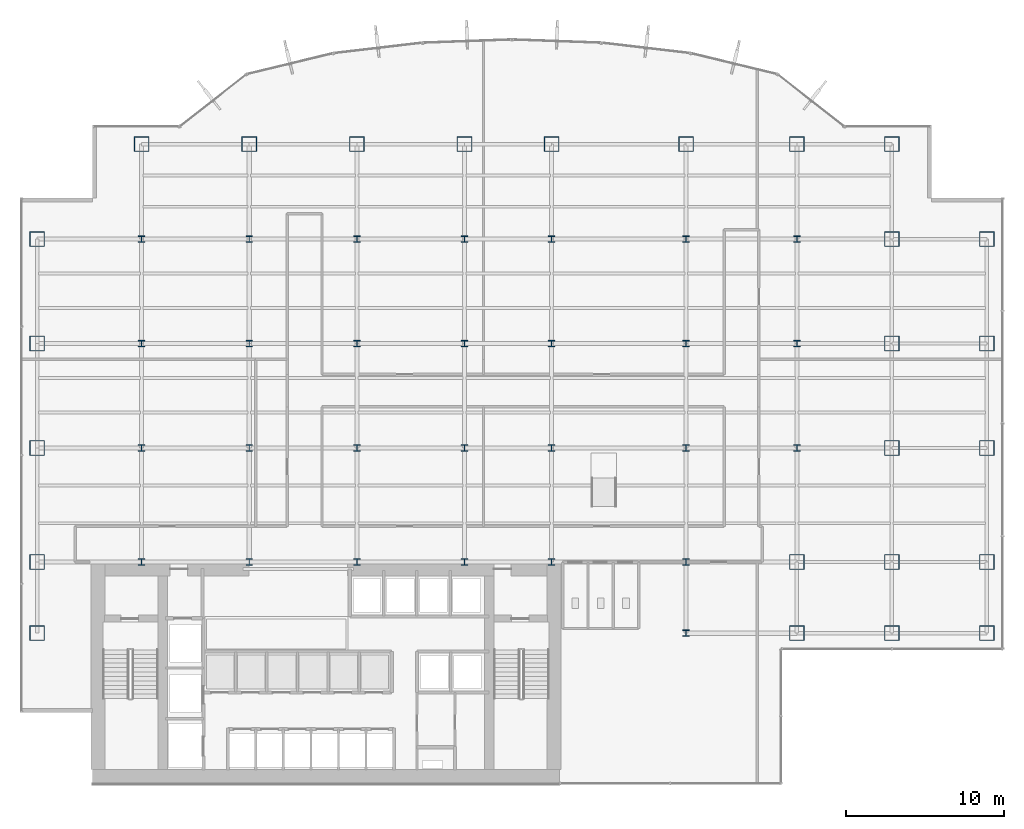
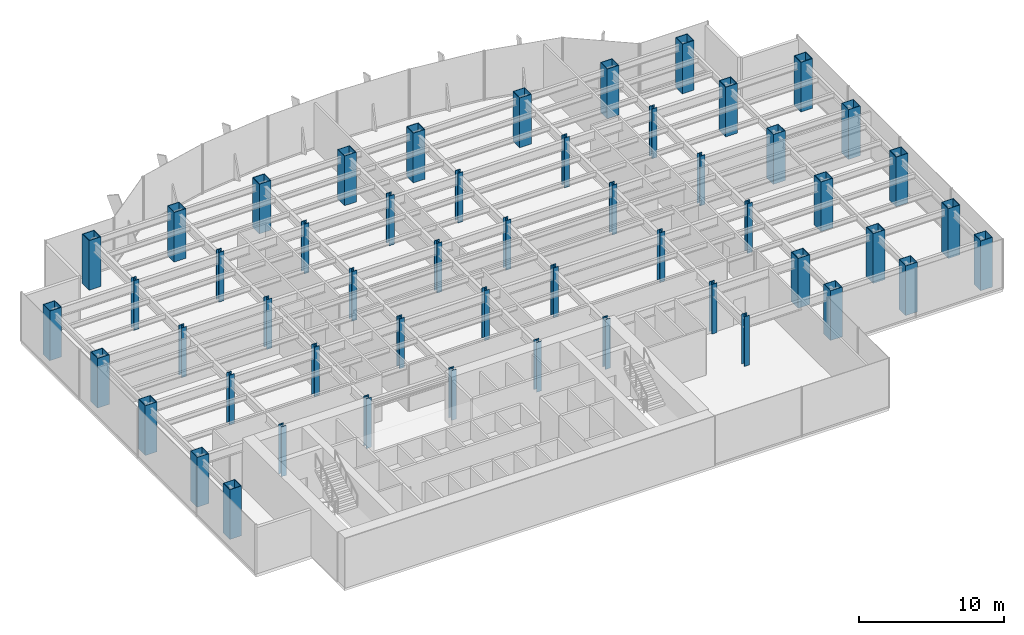
# One storey, part 1 of 35: 53 columns.
"""IFC4 building model written with IfcOpenShell, lengths in metres."""

from ifc_helpers import new_model, si_unit, derived_unit, direction, frame, origin, origin_2d, place, context, subcontext, project, spatial, hollow_rectangle, i_section, extrude, source, transform, mapped, material, material_profile, profile_set, type_object, element, save


model = new_model("IFC4")

# Units and contexts
model_context = context("Model", 3, precision=1e-05, world=origin(), true_north=direction((0.0, 1.0)))
body_context = subcontext(model_context, "Body", "Model", "MODEL_VIEW")
ifc_project = project(units=[si_unit("LENGTHUNIT", "METRE"), si_unit("AREAUNIT", "SQUARE_METRE"), si_unit("VOLUMEUNIT", "CUBIC_METRE"), si_unit("PLANEANGLEUNIT", "RADIAN"), si_unit("MASSUNIT", "GRAM", prefix="KILO"), derived_unit("THERMALTRANSMITTANCEUNIT", [(si_unit("POWERUNIT", "WATT"), 1), (si_unit("LENGTHUNIT", "METRE"), -2), (si_unit("THERMODYNAMICTEMPERATUREUNIT", "KELVIN"), -1)])], contexts=[model_context])

# Site, building, storey
site_placement = place(None, origin())
site = spatial("IfcSite", under=ifc_project, at=site_placement, CompositionType="ELEMENT")
building_placement = place(site_placement, origin())
building = spatial("IfcBuilding", under=site, at=building_placement, Name="Skarnbrae Concourse Arena and Tower", CompositionType="ELEMENT")
storey_placement = place(building_placement, frame((0.0, 0.0, 79.949951171875)))
storey = spatial("IfcBuildingStorey", under=building, at=storey_placement, Name="L19", CompositionType="ELEMENT", Elevation=79.949951171875)

# Columns
ifc_material = material(Name="Steel CSA G40.21 350W", Category="steel")
ifc_material_profile_1 = material_profile(ifc_material, hollow_rectangle(XDim=0.949951171875, YDim=0.949951171875, WallThickness=0.044921875, at=origin_2d()), Name="BOX950X950X45")
ifc_profile_set_1 = profile_set([ifc_material_profile_1], Name="Steel CSA G40.21 350W")
column_type_1 = type_object("IfcColumnType", Name="COL-TUBE-BOX950", PredefinedType="COLUMN", material=ifc_profile_set_1)
shared_shape_1 = source(origin(), body_context, "Body", "SweptSolid", [
    extrude(hollow_rectangle(XDim=0.949951171875, YDim=0.949951171875, WallThickness=0.044921875, at=origin_2d()), origin(), (0.0, 0.0, 1.0), 4.199951171875),
])
for number, where, z_axis, x_axis, name in (
    (1, (1.0, 9.5, 0.0), (0.0, 0.0, 1.0), (1.0, 0.0, 0.0), "L19 Tower column PC_01_01"),
    (2, (1.0, 14.0, 0.0), (0.0, 0.0, 1.0), (1.0, 0.0, 0.0), "L19 Tower column PC_01_02"),
    (3, (1.0, 21.199951171875, 0.0), (0.0, 0.0, 1.0), (1.0, 0.0, 0.0), "L19 Tower column PC_01_03"),
    (4, (1.0, 27.800048828125, 0.0), (0.0, 0.0, 1.0), (1.0, 0.0, 0.0), "L19 Tower column PC_01_04"),
    (5, (1.0, 34.39990234375, 0.0), (0.0, 0.0, 1.0), (1.0, 0.0, 0.0), "L19 Tower column PC_01_05"),
    (6, (7.60009765625, 40.39990234375, 0.0), (0.0, 0.0, 1.0), (1.0, 0.0, 0.0), "L19 Tower column PC_02_06"),
    (7, (14.39990234375, 40.39990234375, 0.0), (0.0, 0.0, 1.0), (1.0, 0.0, 0.0), "L19 Tower column PC_03_06"),
    (8, (21.199951171875, 40.39990234375, 0.0), (0.0, 0.0, 1.0), (1.0, 0.0, 0.0), "L19 Tower column PC_04_06"),
    (9, (28.0, 40.39990234375, 0.0), (0.0, 0.0, 1.0), (1.0, 0.0, 0.0), "L19 Tower column PC_05_06"),
    (10, (33.5, 40.39990234375, 0.0), (0.0, 0.0, 1.0), (1.0, 0.0, 0.0), "L19 Tower column PC_06_06"),
    (11, (42.0, 40.39990234375, 0.0), (0.0, 0.0, 1.0), (1.0, 0.0, 0.0), "L19 Tower column PC_07_06"),
    (12, (49.0, 9.5, 0.0), (0.0, 0.0, 1.0), (1.0, 0.0, 0.0), "L19 Tower column PC_08_01"),
    (13, (49.0, 14.0, 0.0), (0.0, 0.0, 1.0), (1.0, 0.0, 0.0), "L19 Tower column PC_08_02"),
    (14, (49.0, 40.39990234375, 0.0), (0.0, 0.0, 1.0), (1.0, 0.0, 0.0), "L19 Tower column PC_08_06"),
    (15, (55.0, 9.5, 0.0), (0.0, 0.0, 1.0), (1.0, 0.0, 0.0), "L19 Tower column PC_09_01"),
    (16, (55.0, 14.0, 0.0), (0.0, 0.0, 1.0), (1.0, 0.0, 0.0), "L19 Tower column PC_09_02"),
    (17, (55.0, 21.199951171875, 0.0), (0.0, 0.0, 1.0), (1.0, 0.0, 0.0), "L19 Tower column PC_09_03"),
    (18, (55.0, 27.800048828125, 0.0), (0.0, 0.0, 1.0), (1.0, 0.0, 0.0), "L19 Tower column PC_09_04"),
    (19, (55.0, 34.39990234375, 0.0), (0.0, 0.0, 1.0), (1.0, 0.0, 0.0), "L19 Tower column PC_09_05"),
    (20, (55.0, 40.39990234375, 0.0), (0.0, 0.0, 1.0), (1.0, 0.0, 0.0), "L19 Tower column PC_09_06"),
    (21, (61.0, 9.5, 0.0), (0.0, 0.0, 1.0), (1.0, 0.0, 0.0), "L19 Tower column PC_10_01"),
    (22, (61.0, 14.0, 0.0), (0.0, 0.0, 1.0), (1.0, 0.0, 0.0), "L19 Tower column PC_10_02"),
    (23, (61.0, 21.199951171875, 0.0), (0.0, 0.0, 1.0), (1.0, 0.0, 0.0), "L19 Tower column PC_10_03"),
    (24, (61.0, 27.800048828125, 0.0), (0.0, 0.0, 1.0), (1.0, 0.0, 0.0), "L19 Tower column PC_10_04"),
    (25, (61.0, 34.39990234375, 0.0), (0.0, 0.0, 1.0), (1.0, 0.0, 0.0), "L19 Tower column PC_10_05"),
):
    element("IfcColumn", number, at=place(storey_placement, frame(where, z_axis=z_axis, x_axis=x_axis)), inside=storey, type_object=column_type_1, Name=name, PredefinedType="COLUMN", context=body_context, shape_type="MappedRepresentation", body=[
        mapped(shared_shape_1, transform((0.0, 0.0, 0.0))),
    ])
ifc_material_profile_2 = material_profile(ifc_material, i_section(OverallWidth=0.406005859375, OverallDepth=0.416015625, WebThickness=0.02978515625, FlangeThickness=0.048095703125, at=origin_2d()), Name="W360X382")
ifc_profile_set_2 = profile_set([ifc_material_profile_2], Name="Steel CSA G40.21 350W")
column_type_2 = type_object("IfcColumnType", Name="COL-INT-W360X382", PredefinedType="COLUMN", material=ifc_profile_set_2)
shared_shape_2 = source(origin(), body_context, "Body", "SweptSolid", [
    extrude(i_section(OverallWidth=0.406005859375, OverallDepth=0.416015625, WebThickness=0.02978515625, FlangeThickness=0.048095703125, at=origin_2d()), origin(), (0.0, 0.0, 1.0), 4.199951171875),
])
for number, where, z_axis, x_axis, name in (
    (26, (7.60009765625, 14.0, 0.0), (0.0, 0.0, 1.0), (1.0, 0.0, 0.0), "L19 Tower column IC_02_02"),
    (27, (7.60009765625, 21.199951171875, 0.0), (0.0, 0.0, 1.0), (1.0, 0.0, 0.0), "L19 Tower column IC_02_03"),
    (28, (7.60009765625, 27.800048828125, 0.0), (0.0, 0.0, 1.0), (1.0, 0.0, 0.0), "L19 Tower column IC_02_04"),
    (29, (7.60009765625, 34.39990234375, 0.0), (0.0, 0.0, 1.0), (1.0, 0.0, 0.0), "L19 Tower column IC_02_05"),
    (30, (14.39990234375, 14.0, 0.0), (0.0, 0.0, 1.0), (1.0, 0.0, 0.0), "L19 Tower column IC_03_02"),
    (31, (14.39990234375, 21.199951171875, 0.0), (0.0, 0.0, 1.0), (1.0, 0.0, 0.0), "L19 Tower column IC_03_03"),
    (32, (14.39990234375, 27.800048828125, 0.0), (0.0, 0.0, 1.0), (1.0, 0.0, 0.0), "L19 Tower column IC_03_04"),
    (33, (14.39990234375, 34.39990234375, 0.0), (0.0, 0.0, 1.0), (1.0, 0.0, 0.0), "L19 Tower column IC_03_05"),
    (34, (21.199951171875, 14.0, 0.0), (0.0, 0.0, 1.0), (1.0, 0.0, 0.0), "L19 Tower column IC_04_02"),
    (35, (21.199951171875, 21.199951171875, 0.0), (0.0, 0.0, 1.0), (1.0, 0.0, 0.0), "L19 Tower column IC_04_03"),
    (36, (21.199951171875, 27.800048828125, 0.0), (0.0, 0.0, 1.0), (1.0, 0.0, 0.0), "L19 Tower column IC_04_04"),
    (37, (21.199951171875, 34.39990234375, 0.0), (0.0, 0.0, 1.0), (1.0, 0.0, 0.0), "L19 Tower column IC_04_05"),
    (38, (28.0, 14.0, 0.0), (0.0, 0.0, 1.0), (1.0, 0.0, 0.0), "L19 Tower column IC_05_02"),
    (39, (28.0, 21.199951171875, 0.0), (0.0, 0.0, 1.0), (1.0, 0.0, 0.0), "L19 Tower column IC_05_03"),
    (40, (28.0, 27.800048828125, 0.0), (0.0, 0.0, 1.0), (1.0, 0.0, 0.0), "L19 Tower column IC_05_04"),
    (41, (28.0, 34.39990234375, 0.0), (0.0, 0.0, 1.0), (1.0, 0.0, 0.0), "L19 Tower column IC_05_05"),
    (42, (33.5, 14.0, 0.0), (0.0, 0.0, 1.0), (1.0, 0.0, 0.0), "L19 Tower column IC_06_02"),
    (43, (33.5, 21.199951171875, 0.0), (0.0, 0.0, 1.0), (1.0, 0.0, 0.0), "L19 Tower column IC_06_03"),
    (44, (33.5, 27.800048828125, 0.0), (0.0, 0.0, 1.0), (1.0, 0.0, 0.0), "L19 Tower column IC_06_04"),
    (45, (33.5, 34.39990234375, 0.0), (0.0, 0.0, 1.0), (1.0, 0.0, 0.0), "L19 Tower column IC_06_05"),
    (46, (42.0, 9.5, 0.0), (0.0, 0.0, 1.0), (1.0, 0.0, 0.0), "L19 Tower column IC_07_01"),
    (47, (42.0, 14.0, 0.0), (0.0, 0.0, 1.0), (1.0, 0.0, 0.0), "L19 Tower column IC_07_02"),
    (48, (42.0, 21.199951171875, 0.0), (0.0, 0.0, 1.0), (1.0, 0.0, 0.0), "L19 Tower column IC_07_03"),
    (49, (42.0, 27.800048828125, 0.0), (0.0, 0.0, 1.0), (1.0, 0.0, 0.0), "L19 Tower column IC_07_04"),
    (50, (42.0, 34.39990234375, 0.0), (0.0, 0.0, 1.0), (1.0, 0.0, 0.0), "L19 Tower column IC_07_05"),
    (51, (49.0, 21.199951171875, 0.0), (0.0, 0.0, 1.0), (1.0, 0.0, 0.0), "L19 Tower column IC_08_03"),
    (52, (49.0, 27.800048828125, 0.0), (0.0, 0.0, 1.0), (1.0, 0.0, 0.0), "L19 Tower column IC_08_04"),
    (53, (49.0, 34.39990234375, 0.0), (0.0, 0.0, 1.0), (1.0, 0.0, 0.0), "L19 Tower column IC_08_05"),
):
    element("IfcColumn", number, at=place(storey_placement, frame(where, z_axis=z_axis, x_axis=x_axis)), inside=storey, type_object=column_type_2, Name=name, PredefinedType="COLUMN", context=body_context, shape_type="MappedRepresentation", body=[
        mapped(shared_shape_2, transform((0.0, 0.0, 0.0))),
    ])

save(model, "model.ifc")
